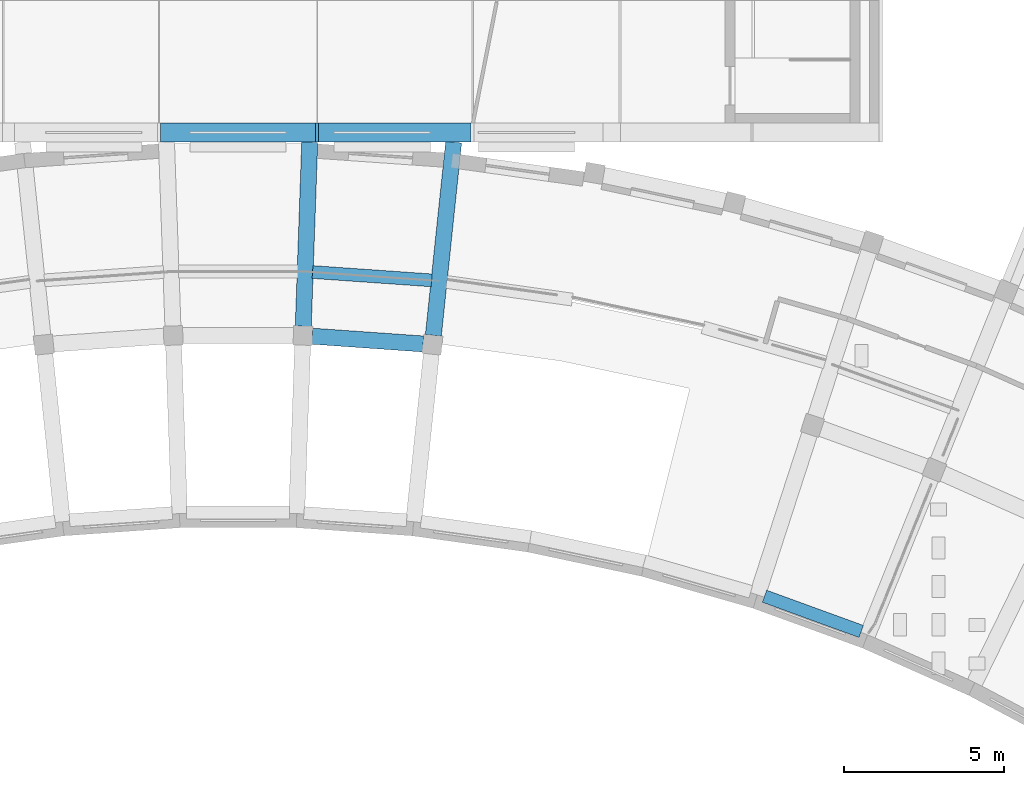
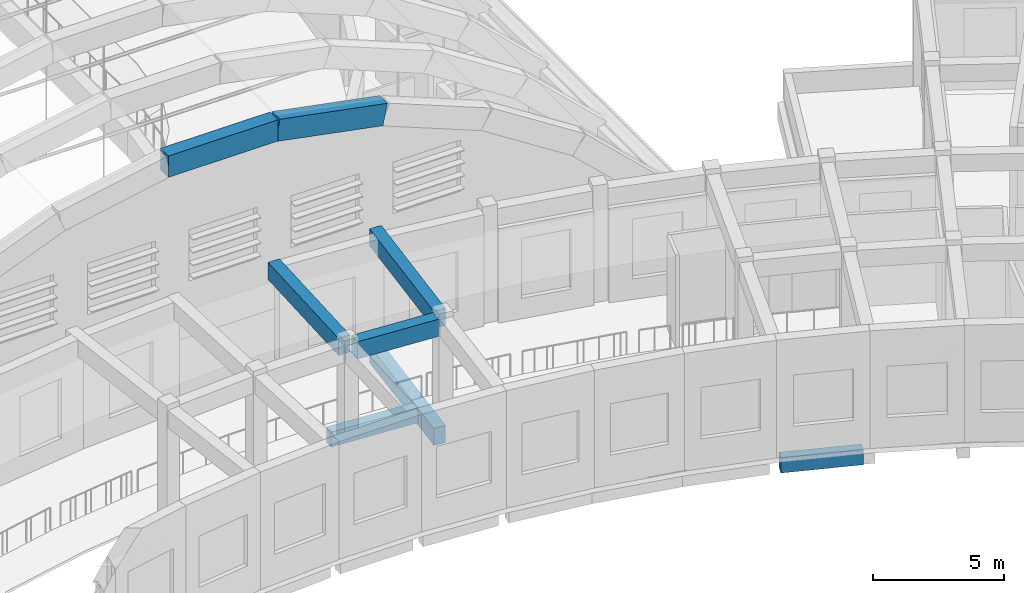
# One storey, part 9 of 94: 8 beams.
"""IFC4 building model written with IfcOpenShell, lengths in metres."""

from ifc_helpers import new_model, si_unit, direction, frame, origin, origin_2d, place, context, subcontext, project, spatial, rectangle, extrude, material, material_profile, profile_set, type_object, element, save


model = new_model("IFC4")

# Units and contexts
model_context = context("Model", 3, precision=1e-05, world=origin(), true_north=direction((0.0, 1.0)))
body_context = subcontext(model_context, "Body", "Model", "MODEL_VIEW")
ifc_project = project(units=[si_unit("LENGTHUNIT", "METRE"), si_unit("AREAUNIT", "SQUARE_METRE"), si_unit("VOLUMEUNIT", "CUBIC_METRE"), si_unit("PLANEANGLEUNIT", "RADIAN"), si_unit("MASSUNIT", "GRAM", prefix="KILO")], contexts=[model_context])

# Site, building, storey
site_placement = place(None, origin())
site = spatial("IfcSite", under=ifc_project, at=site_placement, CompositionType="ELEMENT")
building_placement = place(site_placement, origin())
building = spatial("IfcBuilding", under=site, at=building_placement, Name="Lunette Opera House", CompositionType="ELEMENT")
storey_placement = place(building_placement, frame((0.0, 0.0, 22.5)))
storey = spatial("IfcBuildingStorey", under=building, at=storey_placement, Name="L04", CompositionType="ELEMENT", Elevation=22.5)

# Beams
ifc_material_1 = material(Name="Concrete C40/50", Category="concrete")
ifc_material_profile_1 = material_profile(ifc_material_1, rectangle(XDim=0.60009765625, YDim=1.0, at=origin_2d()), Name="ARCH BEAM 600X1000")
ifc_profile_set_1 = profile_set([ifc_material_profile_1], Name="Concrete C40/50")
beam_type_1 = type_object("IfcBeamType", Name="ARCH BEAM 600X1000", PredefinedType="BEAM", material=ifc_profile_set_1)
beam_1_placement = place(storey_placement, frame((93.5810546875, 64.300048828125, 11.262939453125), z_axis=(1.0, 0.0, 0.0), x_axis=(0.0, 1.0, 0.0)))
element("IfcBeam", 1, at=beam_1_placement, inside=storey, type_object=beam_type_1, Name="beam-AU-L04-EA1-5", PredefinedType="BEAM", context=body_context, shape_type="SweptSolid", body=[
    extrude(rectangle(XDim=0.60009765625, YDim=1.0, at=origin_2d()), origin(), (0.0, 0.0, 1.0), 4.837890625),
])
beam_2_placement = place(storey_placement, frame((98.4189453125, 64.300048828125, 11.262939453125), z_axis=(0.981908402453, 0.0, -0.189356513466), x_axis=(0.0, 1.0, 0.0)))
element("IfcBeam", 2, at=beam_2_placement, inside=storey, type_object=beam_type_1, Name="beam-AU-L04-EA1-6", PredefinedType="BEAM", context=body_context, shape_type="SweptSolid", body=[
    extrude(rectangle(XDim=0.60009765625, YDim=1.0, at=origin_2d()), origin(), (0.0, 0.0, 1.0), 4.83740234375),
])
ifc_material_2 = material(Name="Concrete C35/45", Category="concrete")
ifc_material_profile_2 = material_profile(ifc_material_2, rectangle(XDim=0.39990234375, YDim=0.699951171875, at=origin_2d()), Name="RC BEAM 400X700")
ifc_profile_set_2 = profile_set([ifc_material_profile_2], Name="Concrete C35/45")
beam_type_2 = type_object("IfcBeamType", Name="RC BEAM 400X700", PredefinedType="BEAM", material=ifc_profile_set_2)
beam_3_placement = place(storey_placement, frame((98.322998046875, 59.947021484375, -0.570068359375), z_axis=(0.997564939374, -0.06974375766, 0.0), x_axis=(0.06974375766, 0.997564939374, 0.0)))
element("IfcBeam", 3, at=beam_3_placement, inside=storey, type_object=beam_type_2, Name="beam-FC-L04-TRL04-042", PredefinedType="BEAM", context=body_context, shape_type="SweptSolid", body=[
    extrude(rectangle(XDim=0.39990234375, YDim=0.699951171875, at=origin_2d()), origin(), (0.0, 0.0, 1.0), 3.72802734375),
])
beam_4_placement = place(storey_placement, frame((115.445068359375, 48.73095703125, -0.570068359375), z_axis=(-0.939593472893, 0.34229242717, 0.0), x_axis=(-0.34229242717, -0.939593472893, 0.0)))
element("IfcBeam", 4, at=beam_4_placement, inside=storey, type_object=beam_type_2, Name="beam-FC-L04-TRL04-046", PredefinedType="BEAM", context=body_context, shape_type="SweptSolid", body=[
    extrude(rectangle(XDim=0.39990234375, YDim=0.699951171875, at=origin_2d()), origin(), (0.0, 0.0, 1.0), 3.2109375),
])
ifc_material_3 = material(Name="Concrete C35/45", Category="concrete")
ifc_material_profile_3 = material_profile(ifc_material_3, rectangle(XDim=0.5, YDim=0.800048828125, at=origin_2d()), Name="RC BEAM 500X800")
ifc_profile_set_3 = profile_set([ifc_material_profile_3], Name="Concrete C35/45")
beam_type_3 = type_object("IfcBeamType", Name="RC BEAM 500X800", PredefinedType="BEAM", material=ifc_profile_set_3)
beam_5_placement = place(storey_placement, frame((102.093017578125, 57.970947265625, -0.6201171875), z_axis=(0.104586255643, 0.994515819447, 0.0), x_axis=(-0.994515819447, 0.104586255643, 0.0)))
element("IfcBeam", 5, at=beam_5_placement, inside=storey, type_object=beam_type_3, Name="beam-FC-L04-L04-RB-RL-15-2", PredefinedType="BEAM", context=body_context, shape_type="SweptSolid", body=[
    extrude(rectangle(XDim=0.5, YDim=0.800048828125, at=origin_2d()), origin(), (0.0, 0.0, 1.0), 6.062255859375),
])
beam_6_placement = place(storey_placement, frame((98.033935546875, 58.25390625, 4.85009765625), z_axis=(0.034988760606, 0.999387705864, 0.0), x_axis=(-0.999387705864, 0.034988760606, 0.0)))
element("IfcBeam", 6, at=beam_6_placement, inside=storey, type_object=beam_type_3, Name="beam-FC-L04-RF-RB-RL-14-2", PredefinedType="BEAM", context=body_context, shape_type="SweptSolid", body=[
    extrude(rectangle(XDim=0.5, YDim=0.800048828125, at=origin_2d()), origin(), (0.0, 0.0, 1.0), 5.74951171875),
])
beam_7_placement = place(storey_placement, frame((102.093017578125, 57.970947265625, 4.85009765625), z_axis=(0.104586255643, 0.994515819447, 0.0), x_axis=(-0.994515819447, 0.104586255643, 0.0)))
element("IfcBeam", 7, at=beam_7_placement, inside=storey, type_object=beam_type_3, Name="beam-FC-L04-RF-RB-RL-15-2", PredefinedType="BEAM", context=body_context, shape_type="SweptSolid", body=[
    extrude(rectangle(XDim=0.5, YDim=0.800048828125, at=origin_2d()), origin(), (0.0, 0.0, 1.0), 6.062255859375),
])
beam_8_placement = place(storey_placement, frame((98.31298828125, 57.945068359375, 4.85009765625), z_axis=(0.997540895374, -0.070086817988, 0.0), x_axis=(0.070086817988, 0.997540895374, 0.0)))
element("IfcBeam", 8, at=beam_8_placement, inside=storey, type_object=beam_type_3, Name="beam-FC-L04-RF-RG-AR-M1-RL-14", PredefinedType="BEAM", context=body_context, shape_type="SweptSolid", body=[
    extrude(rectangle(XDim=0.5, YDim=0.800048828125, at=origin_2d()), origin(), (0.0, 0.0, 1.0), 3.469482421875),
])

save(model, "model.ifc")
